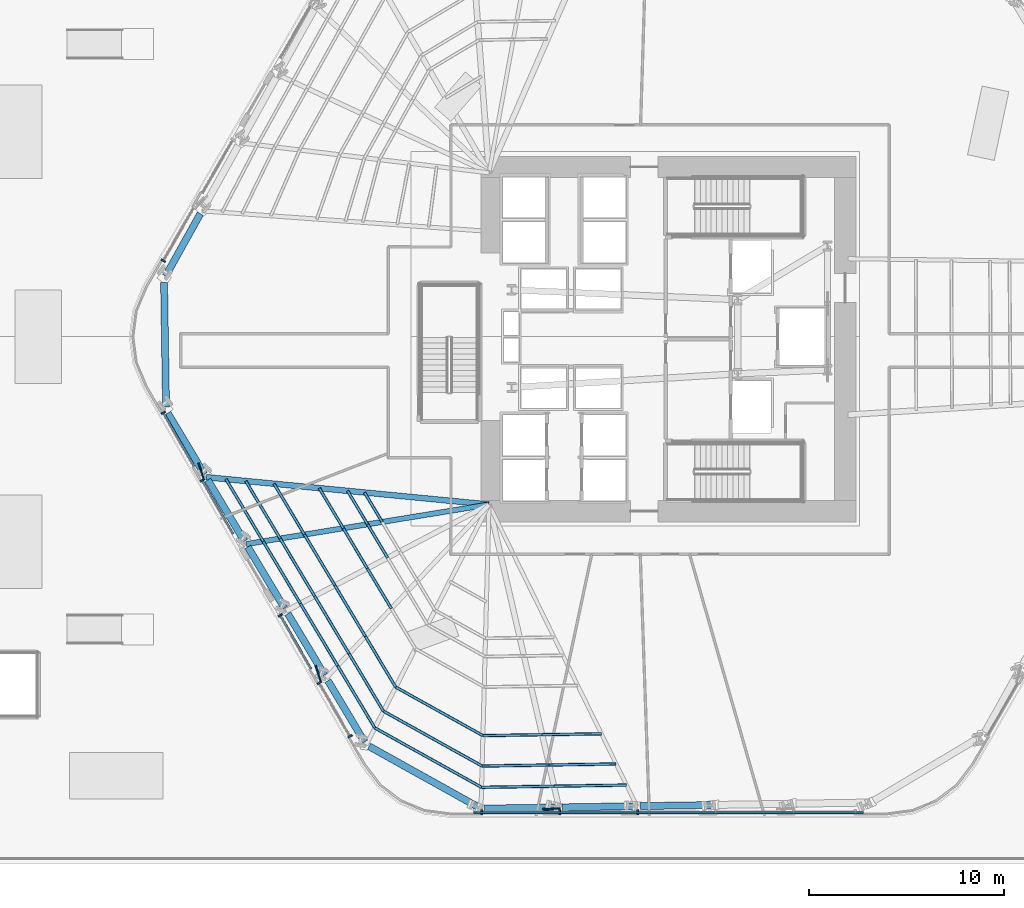
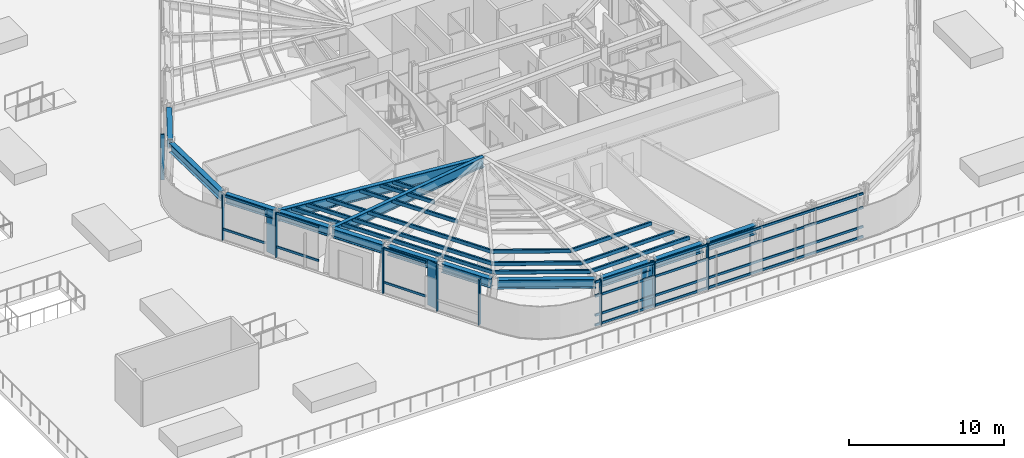
# One storey, part 2 of 18: 49 members, 13 beams, 3 elements without a shape of their own.
"""IFC4 building model written with IfcOpenShell, lengths in metres."""

import ifcopenshell
import ifcopenshell.guid

model = None  # the IFC model being written
_history = None  # IfcOwnerHistory: only IFC2X3 demands one
_inside = {}  # id of a spatial element -> (the spatial element, [elements in it])
_under = {}  # id of a project, library or spatial element -> (it, [spatial elements below it])
_declared = {}  # id of a project -> (the project, [libraries it declares])
_typed = {}  # id of a type object -> (the type object, [elements of that type])
_made_of = {}  # id of a material, layer set ... -> (it, [elements and type objects made of it])


def new_model(schema):
    """Start an empty IFC model of exactly this schema.

    Asked for "IFC4X3", IfcOpenShell would pick the latest addendum, in which some entities
    have other attributes; the version numbers below select the first issue.
    IFC2X3 requires an IfcOwnerHistory on every rooted entity: one is made here for all.
    """
    global model, _history
    if schema == "IFC4X3":
        model = ifcopenshell.file(schema_version=(4, 3, 0, 0))
    else:
        model = ifcopenshell.file(schema=schema)
    _inside.clear()
    _under.clear()
    _declared.clear()
    _typed.clear()
    _made_of.clear()
    _history = None
    if model.schema == "IFC2X3":
        org = make("IfcOrganization", Name="unknown")
        user = make(
            "IfcPersonAndOrganization",
            ThePerson=make("IfcPerson", FamilyName="unknown"),
            TheOrganization=org,
        )
        app = make(
            "IfcApplication",
            ApplicationDeveloper=org,
            Version="unknown",
            ApplicationFullName="unknown",
            ApplicationIdentifier="unknown",
        )
        _history = make(
            "IfcOwnerHistory",
            OwningUser=user,
            OwningApplication=app,
            ChangeAction="ADDED",
            CreationDate=0,
        )
    return model


def make(cls, **values):
    """One entity of the class cls with the attributes given. An attribute that is None is left unset."""
    return model.create_entity(
        cls, **{name: value for name, value in values.items() if value is not None}
    )


def rooted(cls, **values):
    """An entity with a GlobalId (a new one), such as an element, a storey or a relation."""
    return make(cls, GlobalId=ifcopenshell.guid.new(), OwnerHistory=_history, **values)


def si_unit(unit_type, name, prefix=None):
    """IfcSIUnit, for example si_unit("LENGTHUNIT", "METRE", prefix="MILLI")."""
    return make("IfcSIUnit", UnitType=unit_type, Prefix=prefix, Name=name)


def assignment(units):
    """IfcUnitAssignment: the units of a project."""
    return None if units is None else make("IfcUnitAssignment", Units=units)


def point(xyz):
    """IfcCartesianPoint."""
    return None if xyz is None else make("IfcCartesianPoint", Coordinates=xyz)


def direction(xyz):
    """IfcDirection."""
    return None if xyz is None else make("IfcDirection", DirectionRatios=xyz)


def frame(location, z_axis=None, x_axis=None):
    """IfcAxis2Placement3D, a coordinate frame: its origin and axes. An axis left out is left unset."""
    return make(
        "IfcAxis2Placement3D",
        Location=point(location),
        Axis=direction(z_axis),
        RefDirection=direction(x_axis),
    )


def frame_2d(location, x_axis=None):
    """IfcAxis2Placement2D, a coordinate frame in the plane: its origin and x axis."""
    return make(
        "IfcAxis2Placement2D", Location=point(location), RefDirection=direction(x_axis)
    )


def origin():
    """The frame at (0, 0, 0) with its axes left unset."""
    return frame((0.0, 0.0, 0.0))


def origin_2d():
    """The frame at (0, 0) in the plane with its x axis left unset."""
    return frame_2d((0.0, 0.0))


def place(relative_to, where):
    """IfcLocalPlacement: puts the frame where relative to a parent placement (None: the world)."""
    return make(
        "IfcLocalPlacement", PlacementRelTo=relative_to, RelativePlacement=where
    )


def context(
    kind, dimensions, precision=None, world=None, true_north=None, identifier=None
):
    """IfcGeometricRepresentationContext, for example the 3D "Model" context."""
    return make(
        "IfcGeometricRepresentationContext",
        ContextIdentifier=identifier,
        ContextType=kind,
        CoordinateSpaceDimension=dimensions,
        Precision=precision,
        WorldCoordinateSystem=world,
        TrueNorth=true_north,
    )


def subcontext(parent, identifier, kind, view, scale=None):
    """IfcGeometricRepresentationSubContext, for example "Body" below "Model"."""
    return make(
        "IfcGeometricRepresentationSubContext",
        ContextIdentifier=identifier,
        ContextType=kind,
        ParentContext=parent,
        TargetScale=scale,
        TargetView=view,
    )


def project(units=None, contexts=None):
    """IfcProject with its units and contexts."""
    return rooted(
        "IfcProject",
        Name="project",
        RepresentationContexts=contexts,
        UnitsInContext=assignment(units),
    )


def spatial(cls, under=None, at=None, **own):
    """A site, building, storey or space (cls), placed at a placement, below another one or the project."""
    s = rooted(cls, ObjectPlacement=at, **own)
    if under is not None:
        _under.setdefault(under.id(), (under, []))[1].append(s)
    return s


def profile(cls, at=None, kind="AREA", **sizes):
    """A parametric profile (cls). Its sizes go by their IFC names, for example OverallWidth=200.0."""
    return make(cls, ProfileType=kind, Position=at, **sizes)


def rectangle(**sizes):
    """IfcRectangleProfileDef."""
    return profile("IfcRectangleProfileDef", **sizes)


def hollow_rectangle(**sizes):
    """IfcRectangleHollowProfileDef."""
    return profile("IfcRectangleHollowProfileDef", **sizes)


def i_section(**sizes):
    """IfcIShapeProfileDef."""
    return profile("IfcIShapeProfileDef", **sizes)


def extrude(swept, where, along, depth):
    """IfcExtrudedAreaSolid: the profile swept, set in the frame where, extruded along a direction by depth."""
    return make(
        "IfcExtrudedAreaSolid",
        SweptArea=swept,
        Position=where,
        ExtrudedDirection=direction(along),
        Depth=depth,
    )


def shape(context_of_items, identifier, shape_type, items):
    """IfcShapeRepresentation: the items that make up one representation, for example the "Body"."""
    return make(
        "IfcShapeRepresentation",
        ContextOfItems=context_of_items,
        RepresentationIdentifier=identifier,
        RepresentationType=shape_type,
        Items=items,
    )


def material(Name=None, Category=None):
    """IfcMaterial."""
    return make("IfcMaterial", Name=Name, Category=Category)


def layer(
    of_material, thickness, ventilated=None, Name=None, Category=None, Priority=None
):
    """IfcMaterialLayer: one layer of a wall or slab, of a material (None: an air gap)."""
    return make(
        "IfcMaterialLayer",
        Material=of_material,
        LayerThickness=thickness,
        IsVentilated=ventilated,
        Name=Name,
        Category=Category,
        Priority=Priority,
    )


def layer_set(layers, Name=None):
    """IfcMaterialLayerSet."""
    return make("IfcMaterialLayerSet", MaterialLayers=layers, LayerSetName=Name)


def material_profile(
    of_material, cross_section, Name=None, Category=None, Priority=None
):
    """IfcMaterialProfile: a cross section and its material."""
    return make(
        "IfcMaterialProfile",
        Name=Name,
        Material=of_material,
        Profile=cross_section,
        Priority=Priority,
        Category=Category,
    )


def profile_set(profiles, Name=None, composite=None):
    """IfcMaterialProfileSet."""
    return make(
        "IfcMaterialProfileSet",
        Name=Name,
        MaterialProfiles=profiles,
        CompositeProfile=composite,
    )


def made_of(thing, what):
    """Note that an element or type object is made of a material, layer set ...; save() writes the relation."""
    if what is not None:
        _made_of.setdefault(what.id(), (what, []))[1].append(thing)
    return thing


def type_object(cls, material=None, **own):
    """A type object (cls), such as IfcWallType, which elements share."""
    return made_of(rooted(cls, **own), material)


def element(
    cls,
    number,
    at=None,
    inside=None,
    cuts=None,
    type_object=None,
    material=None,
    context=None,
    identifier="Body",
    shape_type=None,
    held_by="IfcProductDefinitionShape",
    body=None,
    shapes=None,
    **own,
):
    """One element of the class cls, such as IfcWall. Its Tag is "e" and its number.

    at: its placement. inside: the storey or other place that contains it. cuts: it is an
    opening in that element (IfcRelVoidsElement). A single representation is given by context,
    identifier, shape_type and body (its items); several are given by shapes. held_by: the class
    of the entity that holds the representations. save() writes the other relations.
    """
    e = rooted(cls, Tag="e%d" % number, ObjectPlacement=at, **own)
    if body is not None:
        shapes = [shape(context, identifier, shape_type, body)]
    if shapes is not None:
        e.Representation = make(held_by, Representations=shapes)
    if inside is not None:
        _inside.setdefault(inside.id(), (inside, []))[1].append(e)
    if cuts is not None:
        rooted(
            "IfcRelVoidsElement", RelatingBuildingElement=cuts, RelatedOpeningElement=e
        )
    if type_object is not None:
        _typed.setdefault(type_object.id(), (type_object, []))[1].append(e)
    return made_of(e, material)


def aggregate(whole, parts):
    """IfcRelAggregates: a whole, such as a stair, and the parts it consists of."""
    return rooted("IfcRelAggregates", RelatingObject=whole, RelatedObjects=parts)


def save(model, path):
    """Write the relations noted so far, then the file.

    IfcRelAggregates (storeys below a building ...), IfcRelContainedInSpatialStructure (elements
    in a storey), IfcRelDefinesByType, IfcRelAssociatesMaterial and IfcRelDeclares: one each for
    every whole, place, type object, material and project.
    """
    for whole, parts in _under.values():
        aggregate(whole, parts)
    for where, things in _inside.values():
        rooted(
            "IfcRelContainedInSpatialStructure",
            RelatedElements=things,
            RelatingStructure=where,
        )
    for kind, things in _typed.values():
        rooted("IfcRelDefinesByType", RelatedObjects=things, RelatingType=kind)
    for what, things in _made_of.values():
        rooted("IfcRelAssociatesMaterial", RelatedObjects=things, RelatingMaterial=what)
    for by, libraries in _declared.values():
        rooted("IfcRelDeclares", RelatingContext=by, RelatedDefinitions=libraries)
    model.write(path)


model = new_model("IFC4")

# Units and contexts
model_context = context("Model", 3, precision=1e-05, world=origin(), true_north=direction((0.0, 1.0)))
body_context = subcontext(model_context, "Body", "Model", "MODEL_VIEW")
ifc_project = project(units=[si_unit("LENGTHUNIT", "METRE"), si_unit("AREAUNIT", "SQUARE_METRE"), si_unit("VOLUMEUNIT", "CUBIC_METRE"), si_unit("PLANEANGLEUNIT", "RADIAN"), si_unit("MASSUNIT", "GRAM", prefix="KILO")], contexts=[model_context])

# Site, building, storey
site_placement = place(None, origin())
site = spatial("IfcSite", under=ifc_project, at=site_placement, CompositionType="ELEMENT")
building_placement = place(site_placement, origin())
building = spatial("IfcBuilding", under=site, at=building_placement, Name="Valkerne Bourse Tower", CompositionType="ELEMENT")
storey_placement = place(building_placement, frame((0.0, 0.0, 24.0)))
storey = spatial("IfcBuildingStorey", under=building, at=storey_placement, Name="L05", CompositionType="ELEMENT", Elevation=24.0)

# Beams
ifc_material_1 = material(Name="Steel ASTM A992", Category="steel")
ifc_material_profile_1 = material_profile(ifc_material_1, i_section(OverallWidth=0.358154296875, OverallDepth=0.7060546875, WebThickness=0.018310546875, FlangeThickness=0.0302734375, FilletRadius=0.02294921875, at=origin_2d()), Name="W27X178")
ifc_profile_set_1 = profile_set([ifc_material_profile_1], Name="Steel ASTM A992")
beam_type_1 = type_object("IfcBeamType", Name="BM-W27X178", PredefinedType="SPANDREL", material=ifc_profile_set_1)
beam_1_placement = place(storey_placement, frame((22.803466796875, 33.3017578125, 3.226806640625), z_axis=(-0.486334484643, -0.87377272162, 0.0), x_axis=(0.87377272162, -0.486334484643, 0.0)))
element("IfcBeam", 1, at=beam_1_placement, inside=storey, type_object=beam_type_1, Name="L05 Hexagonal Spandrel Ring Beam 16", PredefinedType="SPANDREL", context=body_context, shape_type="SweptSolid", body=[
    extrude(i_section(OverallWidth=0.358154296875, OverallDepth=0.7060546875, WebThickness=0.018310546875, FlangeThickness=0.0302734375, FilletRadius=0.02294921875, at=origin_2d()), origin(), (0.0, 0.0, 1.0), 3.656005859375),
])
beam_2_placement = place(storey_placement, frame((20.945556640625, 29.788818359375, 3.226806640625), z_axis=(0.015704869177, -0.999876670937, 0.0), x_axis=(0.999876670937, 0.015704869177, 0.0)))
element("IfcBeam", 2, at=beam_2_placement, inside=storey, type_object=beam_type_1, Name="L05 Hexagonal Spandrel Ring Beam 17", PredefinedType="SPANDREL", context=body_context, shape_type="SweptSolid", body=[
    extrude(i_section(OverallWidth=0.358154296875, OverallDepth=0.7060546875, WebThickness=0.018310546875, FlangeThickness=0.0302734375, FilletRadius=0.02294921875, at=origin_2d()), origin(), (0.0, 0.0, 1.0), 6.38916015625),
])
beam_3_placement = place(storey_placement, frame((21.1357421875, 23.084716796875, 3.226806640625), z_axis=(0.513513406634, -0.858081570253, 0.0), x_axis=(0.858081570253, 0.513513406634, 0.0)))
element("IfcBeam", 3, at=beam_3_placement, inside=storey, type_object=beam_type_1, Name="L05 Hexagonal Spandrel Ring Beam 18", PredefinedType="SPANDREL", context=body_context, shape_type="SweptSolid", body=[
    extrude(i_section(OverallWidth=0.358154296875, OverallDepth=0.7060546875, WebThickness=0.018310546875, FlangeThickness=0.0302734375, FilletRadius=0.02294921875, at=origin_2d()), origin(), (0.0, 0.0, 1.0), 3.656005859375),
])
beam_4_placement = place(storey_placement, frame((23.18798828125, 19.65576171875, 3.226806640625), z_axis=(0.513542832295, -0.858063959969, 0.0), x_axis=(0.858063959969, 0.513542832295, 0.0)))
element("IfcBeam", 4, at=beam_4_placement, inside=storey, type_object=beam_type_1, Name="L05 Hexagonal Spandrel Ring Beam 19", PredefinedType="SPANDREL", context=body_context, shape_type="SweptSolid", body=[
    extrude(i_section(OverallWidth=0.358154296875, OverallDepth=0.7060546875, WebThickness=0.018310546875, FlangeThickness=0.0302734375, FilletRadius=0.02294921875, at=origin_2d()), origin(), (0.0, 0.0, 1.0), 3.65576171875),
])
beam_5_placement = place(storey_placement, frame((25.239990234375, 16.22705078125, 3.226806640625), z_axis=(0.513591998571, -0.858034532524, 0.0), x_axis=(0.858034532524, 0.513591998571, 0.0)))
element("IfcBeam", 5, at=beam_5_placement, inside=storey, type_object=beam_type_1, Name="L05 Hexagonal Spandrel Ring Beam 20", PredefinedType="SPANDREL", context=body_context, shape_type="SweptSolid", body=[
    extrude(i_section(OverallWidth=0.358154296875, OverallDepth=0.7060546875, WebThickness=0.018310546875, FlangeThickness=0.0302734375, FilletRadius=0.02294921875, at=origin_2d()), origin(), (0.0, 0.0, 1.0), 3.656005859375),
])
for number, where, z_axis, x_axis, name in (
    (6, (27.292236328125, 12.798095703125, 3.226806640625), (0.513542832295, -0.858063959969, 0.0), (0.858063959969, 0.513542832295, 0.0), "L05 Hexagonal Spandrel Ring Beam 21"),
    (7, (29.34423828125, 9.369384765625, 3.226806640625), (0.513542832295, -0.858063959969, 0.0), (0.858063959969, 0.513542832295, 0.0), "L05 Hexagonal Spandrel Ring Beam 22"),
):
    element("IfcBeam", number, at=place(storey_placement, frame(where, z_axis=z_axis, x_axis=x_axis)), inside=storey, type_object=beam_type_1, Name=name, PredefinedType="SPANDREL", context=body_context, shape_type="SweptSolid", body=[
        extrude(i_section(OverallWidth=0.358154296875, OverallDepth=0.7060546875, WebThickness=0.018310546875, FlangeThickness=0.0302734375, FilletRadius=0.02294921875, at=origin_2d()), origin(), (0.0, 0.0, 1.0), 3.65576171875),
    ])
beam_6_placement = place(storey_placement, frame((31.45751953125, 6.003662109375, 3.226806640625), z_axis=(0.873782110474, -0.486317615778, 0.0), x_axis=(0.486317615778, 0.873782110474, 0.0)))
element("IfcBeam", 8, at=beam_6_placement, inside=storey, type_object=beam_type_1, Name="L05 Hexagonal Spandrel Ring Beam 23", PredefinedType="SPANDREL", context=body_context, shape_type="SweptSolid", body=[
    extrude(i_section(OverallWidth=0.358154296875, OverallDepth=0.7060546875, WebThickness=0.018310546875, FlangeThickness=0.0302734375, FilletRadius=0.02294921875, at=origin_2d()), origin(), (0.0, 0.0, 1.0), 6.38916015625),
])
for number, where, z_axis, x_axis, name in (
    (9, (37.358642578125, 2.81640625, 3.226806640625), (0.999876857532, 0.015692984807, 0.0), (-0.015692984807, 0.999876857532, 0.0), "L05 Hexagonal Spandrel Ring Beam 24"),
    (10, (41.354248046875, 2.87939453125, 3.226806640625), (0.999876857532, 0.015692984807, 0.0), (-0.015692984807, 0.999876857532, 0.0), "L05 Hexagonal Spandrel Ring Beam 25"),
    (11, (45.349609375, 2.942138671875, 3.226806640625), (0.999876857532, 0.015692984807, 0.0), (-0.015692984807, 0.999876857532, 0.0), "L05 Hexagonal Spandrel Ring Beam 26"),
):
    element("IfcBeam", number, at=place(storey_placement, frame(where, z_axis=z_axis, x_axis=x_axis)), inside=storey, type_object=beam_type_1, Name=name, PredefinedType="SPANDREL", context=body_context, shape_type="SweptSolid", body=[
        extrude(i_section(OverallWidth=0.358154296875, OverallDepth=0.7060546875, WebThickness=0.018310546875, FlangeThickness=0.0302734375, FilletRadius=0.02294921875, at=origin_2d()), origin(), (0.0, 0.0, 1.0), 3.656005859375),
    ])
ifc_material_profile_2 = material_profile(ifc_material_1, i_section(OverallWidth=0.26806640625, OverallDepth=0.76953125, WebThickness=0.015625, FlangeThickness=0.025390625, FilletRadius=0.025390625, at=origin_2d()), Name="W30X132")
ifc_profile_set_2 = profile_set([ifc_material_profile_2], Name="Steel ASTM A992")
beam_type_2 = type_object("IfcBeamType", Name="BM-W30X132", PredefinedType="BEAM", material=ifc_profile_set_2)
beam_7_placement = place(storey_placement, frame((25.15283203125, 16.372802734375, 3.1953125), z_axis=(0.986997200926, 0.160737442321, 0.0), x_axis=(-0.160737442321, 0.986997200926, 0.0)))
element("IfcBeam", 12, at=beam_7_placement, inside=storey, type_object=beam_type_2, Name="L05 Radial Composite Floor Beam 20", PredefinedType="BEAM", context=body_context, shape_type="SweptSolid", body=[
    extrude(i_section(OverallWidth=0.26806640625, OverallDepth=0.76953125, WebThickness=0.015625, FlangeThickness=0.025390625, FilletRadius=0.025390625, at=origin_2d()), origin(), (0.0, 0.0, 1.0), 12.611328125),
])
ifc_material_profile_3 = material_profile(ifc_material_1, i_section(OverallWidth=0.2919921875, OverallDepth=0.8583984375, WebThickness=0.01708984375, FlangeThickness=0.031005859375, FilletRadius=0.025390625, at=origin_2d()), Name="W33X169")
ifc_profile_set_3 = profile_set([ifc_material_profile_3], Name="Steel ASTM A992")
beam_type_3 = type_object("IfcBeamType", Name="BM-W33X169", PredefinedType="BEAM", material=ifc_profile_set_3)
beam_8_placement = place(storey_placement, frame((23.1005859375, 19.8017578125, 3.150634765625), z_axis=(0.995358717622, -0.096234210416, 0.0), x_axis=(0.096234210416, 0.995358717622, 0.0)))
element("IfcBeam", 13, at=beam_8_placement, inside=storey, type_object=beam_type_3, Name="L05 Radial Composite Floor Beam 19", PredefinedType="BEAM", context=body_context, shape_type="SweptSolid", body=[
    extrude(i_section(OverallWidth=0.2919921875, OverallDepth=0.8583984375, WebThickness=0.01708984375, FlangeThickness=0.031005859375, FilletRadius=0.025390625, at=origin_2d()), origin(), (0.0, 0.0, 1.0), 14.567138671875),
])

# Curtain wall, member
ifc_material_2 = material(Name="Aluminium AA 6063-T6", Category="aluminium")
ifc_layer = layer(ifc_material_2, 0.22509765625)
ifc_layer_set = layer_set([ifc_layer], Name="Aluminium AA 6063-T6")
curtain_wall_type = type_object("IfcCurtainWallType", Name="CW-01", PredefinedType="NOTDEFINED", material=ifc_layer_set)
curtain_wall_1_placement = place(storey_placement, origin())
curtain_wall_1 = element("IfcCurtainWall", 14, at=curtain_wall_1_placement, inside=storey, type_object=curtain_wall_type, Name="L05 Hexagonal Stick Curtain Wall Face 3", PredefinedType="NOTDEFINED")
ifc_material_profile_4 = material_profile(ifc_material_2, rectangle(XDim=0.090087890625, YDim=0.239990234375, at=origin_2d()), Name="CWM-90X240")
ifc_profile_set_4 = profile_set([ifc_material_profile_4], Name="Aluminium AA 6063-T6")
member_type_1 = type_object("IfcMemberType", Name="CW-MUL-240X90", PredefinedType="MULLION", material=ifc_profile_set_4)
member_1_placement = place(storey_placement, frame((20.908203125, 30.898193359375, 0.0), z_axis=(0.0, 0.0, 1.0), x_axis=(-0.500004065051, -0.866023056813, 0.0)))
member_1 = element("IfcMember", 15, at=member_1_placement, type_object=member_type_1, Name="CW-L05-F3 Jamb Mullion 04B", PredefinedType="MULLION", context=body_context, shape_type="SweptSolid", body=[
    extrude(rectangle(XDim=0.090087890625, YDim=0.239990234375, at=origin_2d()), origin(), (0.0, 0.0, 1.0), 3.580078125),
])
aggregate(curtain_wall_1, [member_1])

# Curtain wall, members
curtain_wall_2_placement = place(storey_placement, origin())
curtain_wall_2 = element("IfcCurtainWall", 16, at=curtain_wall_2_placement, inside=storey, type_object=curtain_wall_type, Name="L05 Hexagonal Stick Curtain Wall Face 4", PredefinedType="NOTDEFINED")
member_2_placement = place(storey_placement, frame((20.908203125, 23.101806640625, 0.0), z_axis=(0.0, 0.0, 1.0), x_axis=(0.500004065051, -0.866023056813, 0.0)))
member_2 = element("IfcMember", 17, at=member_2_placement, type_object=member_type_1, Name="CW-L05-F4 Jamb Mullion 00A", PredefinedType="MULLION", context=body_context, shape_type="SweptSolid", body=[
    extrude(rectangle(XDim=0.090087890625, YDim=0.239990234375, at=origin_2d()), origin(), (0.0, 0.0, 1.0), 3.580078125),
])
member_3_placement = place(storey_placement, frame((22.906005859375, 19.64111328125, 0.0), z_axis=(0.0, 0.0, 1.0), x_axis=(0.499993228951, -0.866029313016, 0.0)))
member_3 = element("IfcMember", 18, at=member_3_placement, type_object=member_type_1, Name="CW-L05-F4 Jamb Mullion 01A", PredefinedType="MULLION", context=body_context, shape_type="SweptSolid", body=[
    extrude(rectangle(XDim=0.090087890625, YDim=0.239990234375, at=origin_2d()), origin(), (0.0, 0.0, 1.0), 3.580078125),
])
member_4_placement = place(storey_placement, frame((26.902099609375, 12.719970703125, 0.0), z_axis=(0.0, 0.0, 1.0), x_axis=(0.499993228951, -0.866029313016, 0.0)))
member_4 = element("IfcMember", 19, at=member_4_placement, type_object=member_type_1, Name="CW-L05-F4 Jamb Mullion 03A", PredefinedType="MULLION", context=body_context, shape_type="SweptSolid", body=[
    extrude(rectangle(XDim=0.090087890625, YDim=0.239990234375, at=origin_2d()), origin(), (0.0, 0.0, 1.0), 3.580078125),
])
member_5_placement = place(storey_placement, frame((28.900146484375, 9.25927734375, 0.0), z_axis=(0.0, 0.0, 1.0), x_axis=(0.500004065051, -0.866023056813, 0.0)))
member_5 = element("IfcMember", 20, at=member_5_placement, type_object=member_type_1, Name="CW-L05-F4 Jamb Mullion 04A", PredefinedType="MULLION", context=body_context, shape_type="SweptSolid", body=[
    extrude(rectangle(XDim=0.090087890625, YDim=0.239990234375, at=origin_2d()), origin(), (0.0, 0.0, 1.0), 3.580078125),
])
member_6_placement = place(storey_placement, frame((30.47802734375, 6.52587890625, 0.0), z_axis=(0.0, 0.0, 1.0), x_axis=(0.500004065051, -0.866023056813, 0.0)))
member_6 = element("IfcMember", 21, at=member_6_placement, type_object=member_type_1, Name="CW-L05-F4 Jamb Mullion 04B", PredefinedType="MULLION", context=body_context, shape_type="SweptSolid", body=[
    extrude(rectangle(XDim=0.090087890625, YDim=0.239990234375, at=origin_2d()), origin(), (0.0, 0.0, 1.0), 3.580078125),
])

curtain_wall_3_placement = place(storey_placement, origin())
curtain_wall_3 = element("IfcCurtainWall", 22, at=curtain_wall_3_placement, inside=storey, type_object=curtain_wall_type, Name="L05 Hexagonal Stick Curtain Wall Face 5", PredefinedType="NOTDEFINED")
member_7_placement = place(storey_placement, frame((37.22998046875, 2.627685546875, 0.0), z_axis=(0.0, 0.0, 1.0), x_axis=(1.0, 0.0, 0.0)))
member_7 = element("IfcMember", 23, at=member_7_placement, type_object=member_type_1, Name="CW-L05-F5 Jamb Mullion 00A", PredefinedType="MULLION", context=body_context, shape_type="SweptSolid", body=[
    extrude(rectangle(XDim=0.090087890625, YDim=0.239990234375, at=origin_2d()), origin(), (0.0, 0.0, 1.0), 3.580078125),
])
member_8_placement = place(storey_placement, frame((41.22607421875, 2.627685546875, 0.0), z_axis=(0.0, 0.0, 1.0), x_axis=(1.0, 0.0, 0.0)))
member_8 = element("IfcMember", 24, at=member_8_placement, type_object=member_type_1, Name="CW-L05-F5 Jamb Mullion 01A", PredefinedType="MULLION", context=body_context, shape_type="SweptSolid", body=[
    extrude(rectangle(XDim=0.090087890625, YDim=0.239990234375, at=origin_2d()), origin(), (0.0, 0.0, 1.0), 3.580078125),
])
member_9_placement = place(storey_placement, frame((45.221923828125, 2.627685546875, 0.0), z_axis=(0.0, 0.0, 1.0), x_axis=(1.0, 0.0, 0.0)))
member_9 = element("IfcMember", 25, at=member_9_placement, type_object=member_type_1, Name="CW-L05-F5 Jamb Mullion 02A", PredefinedType="MULLION", context=body_context, shape_type="SweptSolid", body=[
    extrude(rectangle(XDim=0.090087890625, YDim=0.239990234375, at=origin_2d()), origin(), (0.0, 0.0, 1.0), 3.580078125),
])

# Member
ifc_material_profile_5 = material_profile(ifc_material_2, rectangle(XDim=0.090087890625, YDim=0.179931640625, at=origin_2d()), Name="CWT-90X180")
ifc_profile_set_5 = profile_set([ifc_material_profile_5], Name="Aluminium AA 6063-T6")
member_type_2 = type_object("IfcMemberType", Name="CW-TRN-180X90", PredefinedType="USERDEFINED", material=ifc_profile_set_5)
member_10_placement = place(storey_placement, frame((20.908203125, 23.101806640625, 0.85009765625), z_axis=(0.499974687925, -0.866040017224, 0.0), x_axis=(0.866040017224, 0.499974687925, 0.0)))
member_10 = element("IfcMember", 26, at=member_10_placement, type_object=member_type_2, Name="CW-L05-F4 Bay Transom 00-1", ObjectType="TRANSOM", PredefinedType="USERDEFINED", context=body_context, shape_type="SweptSolid", body=[
    extrude(rectangle(XDim=0.090087890625, YDim=0.179931640625, at=origin_2d()), origin(), (0.0, 0.0, 1.0), 3.156005859375),
])

member_11_placement = place(storey_placement, frame((20.908203125, 23.101806640625, 3.5), z_axis=(0.499974687925, -0.866040017224, 0.0), x_axis=(0.866040017224, 0.499974687925, 0.0)))
member_11 = element("IfcMember", 27, at=member_11_placement, type_object=member_type_2, Name="CW-L05-F4 Bay Transom 00-2", ObjectType="TRANSOM", PredefinedType="USERDEFINED", context=body_context, shape_type="SweptSolid", body=[
    extrude(rectangle(XDim=0.090087890625, YDim=0.179931640625, at=origin_2d()), origin(), (0.0, 0.0, 1.0), 3.156005859375),
])

member_12_placement = place(storey_placement, frame((22.906005859375, 19.64111328125, 0.85009765625), z_axis=(0.50003270617, -0.866006520045, 0.0), x_axis=(0.866006520045, 0.50003270617, 0.0)))
member_12 = element("IfcMember", 28, at=member_12_placement, type_object=member_type_2, Name="CW-L05-F4 Bay Transom 01-1", ObjectType="TRANSOM", PredefinedType="USERDEFINED", context=body_context, shape_type="SweptSolid", body=[
    extrude(rectangle(XDim=0.090087890625, YDim=0.179931640625, at=origin_2d()), origin(), (0.0, 0.0, 1.0), 3.156005859375),
])

member_13_placement = place(storey_placement, frame((22.906005859375, 19.64111328125, 3.5), z_axis=(0.50003270617, -0.866006520045, 0.0), x_axis=(0.866006520045, 0.50003270617, 0.0)))
member_13 = element("IfcMember", 29, at=member_13_placement, type_object=member_type_2, Name="CW-L05-F4 Bay Transom 01-2", ObjectType="TRANSOM", PredefinedType="USERDEFINED", context=body_context, shape_type="SweptSolid", body=[
    extrude(rectangle(XDim=0.090087890625, YDim=0.179931640625, at=origin_2d()), origin(), (0.0, 0.0, 1.0), 3.156005859375),
])

member_14_placement = place(storey_placement, frame((26.902099609375, 12.719970703125, 0.85009765625), z_axis=(0.499941193264, -0.866059353207, 0.0), x_axis=(0.866059353207, 0.499941193264, 0.0)))
member_14 = element("IfcMember", 30, at=member_14_placement, type_object=member_type_2, Name="CW-L05-F4 Bay Transom 03-1", ObjectType="TRANSOM", PredefinedType="USERDEFINED", context=body_context, shape_type="SweptSolid", body=[
    extrude(rectangle(XDim=0.090087890625, YDim=0.179931640625, at=origin_2d()), origin(), (0.0, 0.0, 1.0), 3.15625),
])

member_15_placement = place(storey_placement, frame((26.902099609375, 12.719970703125, 3.5), z_axis=(0.499941193264, -0.866059353207, 0.0), x_axis=(0.866059353207, 0.499941193264, 0.0)))
member_15 = element("IfcMember", 31, at=member_15_placement, type_object=member_type_2, Name="CW-L05-F4 Bay Transom 03-2", ObjectType="TRANSOM", PredefinedType="USERDEFINED", context=body_context, shape_type="SweptSolid", body=[
    extrude(rectangle(XDim=0.090087890625, YDim=0.179931640625, at=origin_2d()), origin(), (0.0, 0.0, 1.0), 3.15625),
])

aggregate(curtain_wall_2, [member_2, member_10, member_11, member_3, member_12, member_13, member_4, member_14, member_15, member_5, member_6])

member_16_placement = place(storey_placement, frame((36.81005859375, 2.60791015625, 0.1201171875), z_axis=(1.0, 0.0, 0.0), x_axis=(0.0, 1.0, 0.0)))
member_16 = element("IfcMember", 32, at=member_16_placement, type_object=member_type_2, Name="CW-L05-F5 Continuous Face Transom 1", ObjectType="TRANSOM", PredefinedType="USERDEFINED", context=body_context, shape_type="SweptSolid", body=[
    extrude(rectangle(XDim=0.090087890625, YDim=0.179931640625, at=origin_2d()), origin(), (0.0, 0.0, 1.0), 19.97998046875),
])

member_17_placement = place(storey_placement, frame((36.81005859375, 2.60791015625, 0.89990234375), z_axis=(1.0, 0.0, 0.0), x_axis=(0.0, 1.0, 0.0)))
member_17 = element("IfcMember", 33, at=member_17_placement, type_object=member_type_2, Name="CW-L05-F5 Continuous Face Transom 2", ObjectType="TRANSOM", PredefinedType="USERDEFINED", context=body_context, shape_type="SweptSolid", body=[
    extrude(rectangle(XDim=0.090087890625, YDim=0.179931640625, at=origin_2d()), origin(), (0.0, 0.0, 1.0), 19.97998046875),
])

member_18_placement = place(storey_placement, frame((36.81005859375, 2.60791015625, 2.39990234375), z_axis=(1.0, 0.0, 0.0), x_axis=(0.0, 1.0, 0.0)))
member_18 = element("IfcMember", 34, at=member_18_placement, type_object=member_type_2, Name="CW-L05-F5 Continuous Face Transom 3", ObjectType="TRANSOM", PredefinedType="USERDEFINED", context=body_context, shape_type="SweptSolid", body=[
    extrude(rectangle(XDim=0.090087890625, YDim=0.179931640625, at=origin_2d()), origin(), (0.0, 0.0, 1.0), 19.97998046875),
])

member_19_placement = place(storey_placement, frame((36.81005859375, 2.60791015625, 3.5), z_axis=(1.0, 0.0, 0.0), x_axis=(0.0, 1.0, 0.0)))
member_19 = element("IfcMember", 35, at=member_19_placement, type_object=member_type_2, Name="CW-L05-F5 Continuous Face Transom 4", ObjectType="TRANSOM", PredefinedType="USERDEFINED", context=body_context, shape_type="SweptSolid", body=[
    extrude(rectangle(XDim=0.090087890625, YDim=0.179931640625, at=origin_2d()), origin(), (0.0, 0.0, 1.0), 19.97998046875),
])

aggregate(curtain_wall_3, [member_16, member_17, member_18, member_19, member_7, member_8, member_9])

# Members
ifc_material_3 = material(Name="Bronze Anodised Aluminium AA 6063-T6", Category="aluminium")
ifc_material_profile_6 = material_profile(ifc_material_3, rectangle(XDim=0.070068359375, YDim=0.89990234375, at=origin_2d()), Name="FIN-70X900")
ifc_profile_set_6 = profile_set([ifc_material_profile_6], Name="Bronze Anodised Aluminium AA 6063-T6")
member_type_3 = type_object("IfcMemberType", Name="FIN-SOLAR-900", PredefinedType="USERDEFINED", material=ifc_profile_set_6)
for number, where, z_axis, x_axis, name in (
    (36, (22.851806640625, 20.094970703125, 0.00390625), (0.0, 0.0, 1.0), (-0.946127533087, -0.323794211088, 0.0), "L05 Bronze Anodised Solar Fin F4-01"),
    (37, (28.845947265625, 9.712890625, 0.00390625), (0.0, 0.0, 1.0), (-0.946122878882, -0.323807810369, 0.0), "L05 Bronze Anodised Solar Fin F4-04"),
    (38, (40.805908203125, 2.807861328125, 0.00390625), (0.0, 0.0, 1.0), (0.031888158654, -0.999491443354, 0.0), "L05 Bronze Anodised Solar Fin F5-01"),
):
    element("IfcMember", number, at=place(storey_placement, frame(where, z_axis=z_axis, x_axis=x_axis)), inside=storey, type_object=member_type_3, Name=name, ObjectType="SOLAR_FIN", PredefinedType="USERDEFINED", context=body_context, shape_type="SweptSolid", body=[
        extrude(rectangle(XDim=0.070068359375, YDim=0.89990234375, at=origin_2d()), origin(), (0.0, 0.0, 1.0), 3.572021484375),
    ])
ifc_material_4 = material(Name="Steel ASTM A500 Grade C", Category="steel")
ifc_material_profile_7 = material_profile(ifc_material_4, hollow_rectangle(XDim=0.14990234375, YDim=0.300048828125, WallThickness=0.012451171875, OuterFilletRadius=0.02490234375, at=origin_2d()), Name="HSS300X150X12.5")
ifc_profile_set_7 = profile_set([ifc_material_profile_7], Name="Steel ASTM A500 Grade C")
member_type_4 = type_object("IfcMemberType", Name="MBR-HSS300X150X12.5", PredefinedType="PURLIN", material=ifc_profile_set_7)
member_20_placement = place(storey_placement, frame((31.22021484375, 19.0166015625, 3.419921875), z_axis=(0.513637842222, -0.858007090319, 0.0), x_axis=(0.858007090319, 0.513637842222, 0.0)))
element("IfcMember", 39, at=member_20_placement, inside=storey, type_object=member_type_4, Name="L05 Secondary Composite Floor Purlin K-19", PredefinedType="PURLIN", context=body_context, shape_type="SweptSolid", body=[
    extrude(hollow_rectangle(XDim=0.14990234375, YDim=0.300048828125, WallThickness=0.012451171875, OuterFilletRadius=0.02490234375, at=origin_2d()), origin(), (0.0, 0.0, 1.0), 1.75830078125),
])
for number, where, z_axis, x_axis, name in (
    (40, (30.350341796875, 19.100830078125, 3.419921875), (0.51357901082, -0.858042306443, 0.0), (0.858042306443, 0.51357901082, 0.0), "L05 Secondary Composite Floor Purlin M-19"),
    (41, (31.37646484375, 17.386474609375, 3.419921875), (0.51357901082, -0.858042306443, 0.0), (0.858042306443, 0.51357901082, 0.0), "L05 Secondary Composite Floor Purlin M-20"),
):
    element("IfcMember", number, at=place(storey_placement, frame(where, z_axis=z_axis, x_axis=x_axis)), inside=storey, type_object=member_type_4, Name=name, PredefinedType="PURLIN", context=body_context, shape_type="SweptSolid", body=[
        extrude(hollow_rectangle(XDim=0.14990234375, YDim=0.300048828125, WallThickness=0.012451171875, OuterFilletRadius=0.02490234375, at=origin_2d()), origin(), (0.0, 0.0, 1.0), 1.998046875),
    ])
for number, where, z_axis, x_axis, name in (
    (42, (26.58056640625, 19.46533203125, 3.419921875), (0.513526027821, -0.858074017058, 0.0), (0.858074017058, 0.513526027821, 0.0), "L05 Secondary Composite Floor Purlin O-19"),
    (43, (28.14013671875, 16.859375, 3.419921875), (0.513526027821, -0.858074017058, 0.0), (0.858074017058, 0.513526027821, 0.0), "L05 Secondary Composite Floor Purlin O-20"),
    (44, (29.69970703125, 14.25341796875, 3.419921875), (0.513561452781, -0.858052815518, 0.0), (0.858052815518, 0.513561452781, 0.0), "L05 Secondary Composite Floor Purlin O-21"),
    (45, (31.25927734375, 11.647705078125, 3.419921875), (0.513526027821, -0.858074017058, 0.0), (0.858074017058, 0.513526027821, 0.0), "L05 Secondary Composite Floor Purlin O-22"),
):
    element("IfcMember", number, at=place(storey_placement, frame(where, z_axis=z_axis, x_axis=x_axis)), inside=storey, type_object=member_type_4, Name=name, PredefinedType="PURLIN", context=body_context, shape_type="SweptSolid", body=[
        extrude(hollow_rectangle(XDim=0.14990234375, YDim=0.300048828125, WallThickness=0.012451171875, OuterFilletRadius=0.02490234375, at=origin_2d()), origin(), (0.0, 0.0, 1.0), 3.036865234375),
    ])
member_21_placement = place(storey_placement, frame((32.81884765625, 9.041748046875, 3.419921875), z_axis=(0.873758409988, -0.486360196742, 0.0), x_axis=(0.486360196742, 0.873758409988, 0.0)))
element("IfcMember", 46, at=member_21_placement, inside=storey, type_object=member_type_4, Name="L05 Secondary Composite Floor Purlin O-23", PredefinedType="PURLIN", context=body_context, shape_type="SweptSolid", body=[
    extrude(hollow_rectangle(XDim=0.14990234375, YDim=0.300048828125, WallThickness=0.012451171875, OuterFilletRadius=0.02490234375, at=origin_2d()), origin(), (0.0, 0.0, 1.0), 5.114013671875),
])
for number, where, z_axis, x_axis, name in (
    (47, (37.287353515625, 6.554443359375, 3.419921875), (0.999875863308, 0.01575620431, 0.0), (-0.01575620431, 0.999875863308, 0.0), "L05 Secondary Composite Floor Purlin O-24"),
    (48, (40.323974609375, 6.602294921875, 3.419921875), (0.999877126545, 0.015675835317, 0.0), (-0.015675835317, 0.999877126545, 0.0), "L05 Secondary Composite Floor Purlin O-25"),
):
    element("IfcMember", number, at=place(storey_placement, frame(where, z_axis=z_axis, x_axis=x_axis)), inside=storey, type_object=member_type_4, Name=name, PredefinedType="PURLIN", context=body_context, shape_type="SweptSolid", body=[
        extrude(hollow_rectangle(XDim=0.14990234375, YDim=0.300048828125, WallThickness=0.012451171875, OuterFilletRadius=0.02490234375, at=origin_2d()), origin(), (0.0, 0.0, 1.0), 3.037109375),
    ])
member_22_placement = place(storey_placement, frame((28.900390625, 19.240966796875, 3.419921875), z_axis=(0.513507105246, -0.858085341246, 0.0), x_axis=(0.858085341246, 0.513507105246, 0.0)))
element("IfcMember", 49, at=member_22_placement, inside=storey, type_object=member_type_4, Name="L05 Secondary Composite Floor Purlin Z-19", PredefinedType="PURLIN", context=body_context, shape_type="SweptSolid", body=[
    extrude(hollow_rectangle(XDim=0.14990234375, YDim=0.300048828125, WallThickness=0.012451171875, OuterFilletRadius=0.02490234375, at=origin_2d()), origin(), (0.0, 0.0, 1.0), 2.397705078125),
])
member_23_placement = place(storey_placement, frame((30.131591796875, 17.18359375, 3.419921875), z_axis=(0.513551976229, -0.858058487349, 0.0), x_axis=(0.858058487349, 0.513551976229, 0.0)))
element("IfcMember", 50, at=member_23_placement, inside=storey, type_object=member_type_4, Name="L05 Secondary Composite Floor Purlin Z-20", PredefinedType="PURLIN", context=body_context, shape_type="SweptSolid", body=[
    extrude(hollow_rectangle(XDim=0.14990234375, YDim=0.300048828125, WallThickness=0.012451171875, OuterFilletRadius=0.02490234375, at=origin_2d()), origin(), (0.0, 0.0, 1.0), 2.3974609375),
])
member_24_placement = place(storey_placement, frame((31.36279296875, 15.12646484375, 3.419921875), z_axis=(0.513582074707, -0.858040472553, 0.0), x_axis=(0.858040472553, 0.513582074707, 0.0)))
element("IfcMember", 51, at=member_24_placement, inside=storey, type_object=member_type_4, Name="L05 Secondary Composite Floor Purlin Z-21", PredefinedType="PURLIN", context=body_context, shape_type="SweptSolid", body=[
    extrude(hollow_rectangle(XDim=0.14990234375, YDim=0.300048828125, WallThickness=0.012451171875, OuterFilletRadius=0.02490234375, at=origin_2d()), origin(), (0.0, 0.0, 1.0), 2.397705078125),
])
for number, where, z_axis, x_axis, name in (
    (52, (25.130615234375, 19.60546875, 3.419921875), (0.513565633083, -0.858050313511, 0.0), (0.858050313511, 0.513565633083, 0.0), "L05 Secondary Composite Floor Purlin T-19"),
    (53, (26.8955078125, 16.65673828125, 3.419921875), (0.513513325216, -0.858081618976, 0.0), (0.858081618976, 0.513513325216, 0.0), "L05 Secondary Composite Floor Purlin T-20"),
):
    element("IfcMember", number, at=place(storey_placement, frame(where, z_axis=z_axis, x_axis=x_axis)), inside=storey, type_object=member_type_4, Name=name, PredefinedType="PURLIN", context=body_context, shape_type="SweptSolid", body=[
        extrude(hollow_rectangle(XDim=0.14990234375, YDim=0.300048828125, WallThickness=0.012451171875, OuterFilletRadius=0.02490234375, at=origin_2d()), origin(), (0.0, 0.0, 1.0), 3.4365234375),
    ])
member_25_placement = place(storey_placement, frame((28.66015625, 13.7080078125, 3.419921875), z_axis=(0.513534328732, -0.858069049211, 0.0), x_axis=(0.858069049211, 0.513534328732, 0.0)))
element("IfcMember", 54, at=member_25_placement, inside=storey, type_object=member_type_4, Name="L05 Secondary Composite Floor Purlin T-21", PredefinedType="PURLIN", context=body_context, shape_type="SweptSolid", body=[
    extrude(hollow_rectangle(XDim=0.14990234375, YDim=0.300048828125, WallThickness=0.012451171875, OuterFilletRadius=0.02490234375, at=origin_2d()), origin(), (0.0, 0.0, 1.0), 3.436767578125),
])
member_26_placement = place(storey_placement, frame((30.425048828125, 10.759033203125, 3.419921875), z_axis=(0.513513325216, -0.858081618976, 0.0), x_axis=(0.858081618976, 0.513513325216, 0.0)))
element("IfcMember", 55, at=member_26_placement, inside=storey, type_object=member_type_4, Name="L05 Secondary Composite Floor Purlin T-22", PredefinedType="PURLIN", context=body_context, shape_type="SweptSolid", body=[
    extrude(hollow_rectangle(XDim=0.14990234375, YDim=0.300048828125, WallThickness=0.012451171875, OuterFilletRadius=0.02490234375, at=origin_2d()), origin(), (0.0, 0.0, 1.0), 3.4365234375),
])
member_27_placement = place(storey_placement, frame((32.189697265625, 7.810302734375, 3.419921875), z_axis=(0.873774935616, -0.486330506846, 0.0), x_axis=(0.486330506846, 0.873774935616, 0.0)))
element("IfcMember", 56, at=member_27_placement, inside=storey, type_object=member_type_4, Name="L05 Secondary Composite Floor Purlin T-23", PredefinedType="PURLIN", context=body_context, shape_type="SweptSolid", body=[
    extrude(hollow_rectangle(XDim=0.14990234375, YDim=0.300048828125, WallThickness=0.012451171875, OuterFilletRadius=0.02490234375, at=origin_2d()), origin(), (0.0, 0.0, 1.0), 5.787109375),
])
for number, where, z_axis, x_axis, name in (
    (57, (37.246337890625, 4.995849609375, 3.419921875), (0.999876735178, 0.015700778633, 0.0), (-0.015700778633, 0.999876735178, 0.0), "L05 Secondary Composite Floor Purlin T-24"),
    (58, (40.682373046875, 5.0498046875, 3.419921875), (0.999875617344, 0.015771805247, 0.0), (-0.015771805247, 0.999875617344, 0.0), "L05 Secondary Composite Floor Purlin T-25"),
):
    element("IfcMember", number, at=place(storey_placement, frame(where, z_axis=z_axis, x_axis=x_axis)), inside=storey, type_object=member_type_4, Name=name, PredefinedType="PURLIN", context=body_context, shape_type="SweptSolid", body=[
        extrude(hollow_rectangle(XDim=0.14990234375, YDim=0.300048828125, WallThickness=0.012451171875, OuterFilletRadius=0.02490234375, at=origin_2d()), origin(), (0.0, 0.0, 1.0), 3.4365234375),
    ])
for number, where, z_axis, x_axis, name in (
    (59, (24.115478515625, 19.70361328125, 3.419921875), (0.513597008647, -0.858031533633, 0.0), (0.858031533633, 0.513597008647, 0.0), "L05 Secondary Composite Floor Purlin U-19"),
    (60, (26.024169921875, 16.514892578125, 3.419921875), (0.51351969281, -0.8580778083, 0.0), (0.8580778083, 0.51351969281, 0.0), "L05 Secondary Composite Floor Purlin U-20"),
    (61, (27.9326171875, 13.325927734375, 3.419921875), (0.513548640963, -0.858060483512, 0.0), (0.858060483512, 0.513548640963, 0.0), "L05 Secondary Composite Floor Purlin U-21"),
    (62, (29.841064453125, 10.13720703125, 3.419921875), (0.513548640963, -0.858060483512, 0.0), (0.858060483512, 0.513548640963, 0.0), "L05 Secondary Composite Floor Purlin U-22"),
):
    element("IfcMember", number, at=place(storey_placement, frame(where, z_axis=z_axis, x_axis=x_axis)), inside=storey, type_object=member_type_4, Name=name, PredefinedType="PURLIN", context=body_context, shape_type="SweptSolid", body=[
        extrude(hollow_rectangle(XDim=0.14990234375, YDim=0.300048828125, WallThickness=0.012451171875, OuterFilletRadius=0.02490234375, at=origin_2d()), origin(), (0.0, 0.0, 1.0), 3.71630859375),
    ])
member_28_placement = place(storey_placement, frame((31.74951171875, 6.948486328125, 3.419921875), z_axis=(0.873755814889, -0.486364858875, 0.0), x_axis=(0.486364858875, 0.873755814889, 0.0)))
element("IfcMember", 63, at=member_28_placement, inside=storey, type_object=member_type_4, Name="L05 Secondary Composite Floor Purlin U-23", PredefinedType="PURLIN", context=body_context, shape_type="SweptSolid", body=[
    extrude(hollow_rectangle(XDim=0.14990234375, YDim=0.300048828125, WallThickness=0.012451171875, OuterFilletRadius=0.02490234375, at=origin_2d()), origin(), (0.0, 0.0, 1.0), 6.258056640625),
])
for number, where, z_axis, x_axis, name in (
    (64, (37.217529296875, 3.90478515625, 3.419921875), (0.999876730342, 0.015701086633, 0.0), (-0.015701086633, 0.999876730342, 0.0), "L05 Secondary Composite Floor Purlin U-24"),
    (65, (40.933349609375, 3.963134765625, 3.419921875), (0.999876730342, 0.015701086633, 0.0), (-0.015701086633, 0.999876730342, 0.0), "L05 Secondary Composite Floor Purlin U-25"),
):
    element("IfcMember", number, at=place(storey_placement, frame(where, z_axis=z_axis, x_axis=x_axis)), inside=storey, type_object=member_type_4, Name=name, PredefinedType="PURLIN", context=body_context, shape_type="SweptSolid", body=[
        extrude(hollow_rectangle(XDim=0.14990234375, YDim=0.300048828125, WallThickness=0.012451171875, OuterFilletRadius=0.02490234375, at=origin_2d()), origin(), (0.0, 0.0, 1.0), 3.71630859375),
    ])

save(model, "model.ifc")
